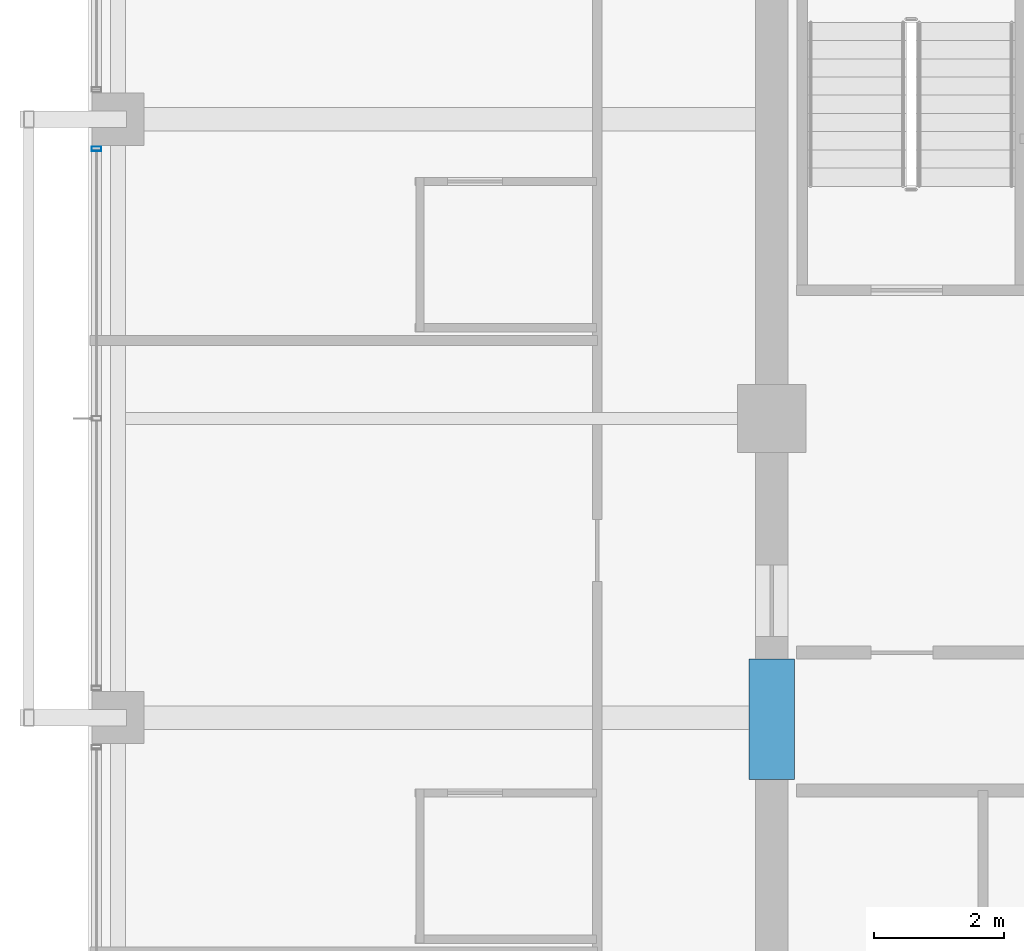
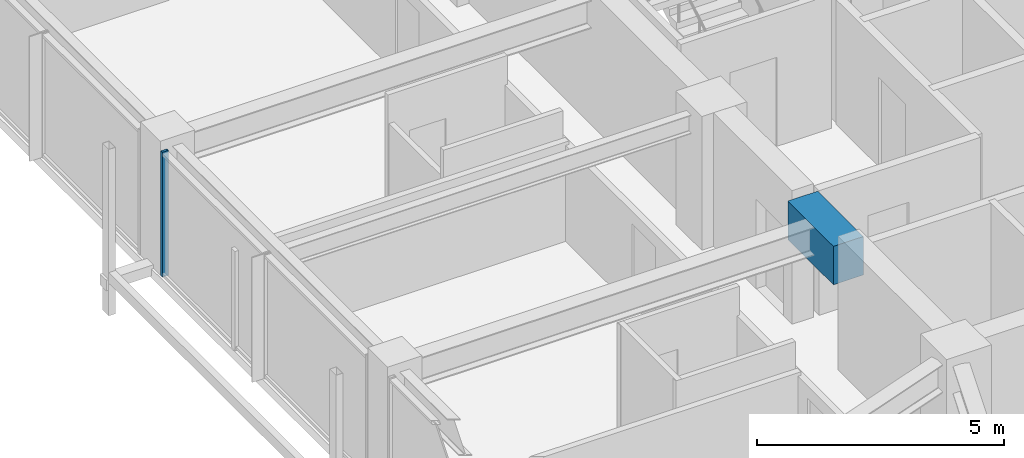
# One storey, part 9 of 38: 1 beam, 1 member, 1 element without a shape of its own.
"""IFC4 building model written with IfcOpenShell, lengths in metres."""

from ifc_helpers import new_model, si_unit, direction, frame, origin, origin_2d, place, context, subcontext, project, spatial, rectangle, hollow_rectangle, extrude, material, material_profile, profile_set, type_object, element, aggregate, save


model = new_model("IFC4")

# Units and contexts
model_context = context("Model", 3, precision=1e-05, world=origin(), true_north=direction((0.0, 1.0)))
body_context = subcontext(model_context, "Body", "Model", "MODEL_VIEW")
ifc_project = project(units=[si_unit("LENGTHUNIT", "METRE"), si_unit("AREAUNIT", "SQUARE_METRE"), si_unit("VOLUMEUNIT", "CUBIC_METRE"), si_unit("PLANEANGLEUNIT", "RADIAN"), si_unit("MASSUNIT", "GRAM", prefix="KILO")], contexts=[model_context])

# Site, building, storey
site_placement = place(None, origin())
site = spatial("IfcSite", under=ifc_project, at=site_placement, CompositionType="ELEMENT")
building_placement = place(site_placement, origin())
building = spatial("IfcBuilding", under=site, at=building_placement, Name="Kolvaren Belvedere", CompositionType="ELEMENT")
storey_placement = place(building_placement, frame((0.0, 0.0, 206.39990234375)))
storey = spatial("IfcBuildingStorey", under=building, at=storey_placement, Name="L60", CompositionType="ELEMENT", Elevation=206.39990234375)

# Beam
ifc_material_1 = material(Name="Concrete C60/75", Category="concrete")
ifc_material_profile_1 = material_profile(ifc_material_1, rectangle(XDim=0.699951171875, YDim=0.949951171875, at=origin_2d()), Name="RC 700X950")
ifc_profile_set_1 = profile_set([ifc_material_profile_1], Name="Concrete C60/75")
beam_type = type_object("IfcBeamType", Name="BM-LINT-950", PredefinedType="LINTEL", material=ifc_profile_set_1)
beam_placement = place(storey_placement, frame((-9.89990234375, -5.550048828125, 2.60498046875), z_axis=(0.0, 1.0, 0.0), x_axis=(-1.0, 0.0, 0.0)))
element("IfcBeam", 1, at=beam_placement, inside=storey, type_object=beam_type, Name="L60 West Core Coupling Lintel", PredefinedType="LINTEL", context=body_context, shape_type="SweptSolid", body=[
    extrude(rectangle(XDim=0.699951171875, YDim=0.949951171875, at=origin_2d()), origin(), (0.0, 0.0, 1.0), 1.85009765625),
])

# Curtain wall, member
ifc_material_2 = material(Name="Anodised pale-metal aluminium AA 6063-T6", Category="aluminium")
curtain_wall_type = type_object("IfcCurtainWallType", Name="CW-Z5-HIGH", PredefinedType="NOTDEFINED", material=ifc_material_2)
curtain_wall_placement = place(storey_placement, origin())
curtain_wall = element("IfcCurtainWall", 2, at=curtain_wall_placement, inside=storey, type_object=curtain_wall_type, Name="L60 Unitised Curtain Wall FCW-L60-W-B2", PredefinedType="NOTDEFINED")
ifc_material_3 = material(Name="Anodised pale-metal aluminium AA 6063-T6", Category="aluminium")
ifc_material_profile_2 = material_profile(ifc_material_3, hollow_rectangle(XDim=0.070068359375, YDim=0.14990234375, WallThickness=0.004150390625, at=origin_2d()), Name="ALU-MUL-150X70")
ifc_profile_set_2 = profile_set([ifc_material_profile_2], Name="Anodised pale-metal aluminium AA 6063-T6")
member_type = type_object("IfcMemberType", Name="CW-MUL-150", PredefinedType="MULLION", material=ifc_profile_set_2)
member_placement = place(storey_placement, frame((-20.280029296875, 4.14501953125, 0.0), z_axis=(0.0, 0.0, 1.0), x_axis=(0.0, 1.0, 0.0)))
member = element("IfcMember", 3, at=member_placement, type_object=member_type, Name="FCW-L60-W-B2 Unitised Mullion 3", PredefinedType="MULLION", context=body_context, shape_type="SweptSolid", body=[
    extrude(hollow_rectangle(XDim=0.070068359375, YDim=0.14990234375, WallThickness=0.004150390625, at=origin_2d()), origin(), (0.0, 0.0, 1.0), 3.080078125),
])
aggregate(curtain_wall, [member])

save(model, "model.ifc")
